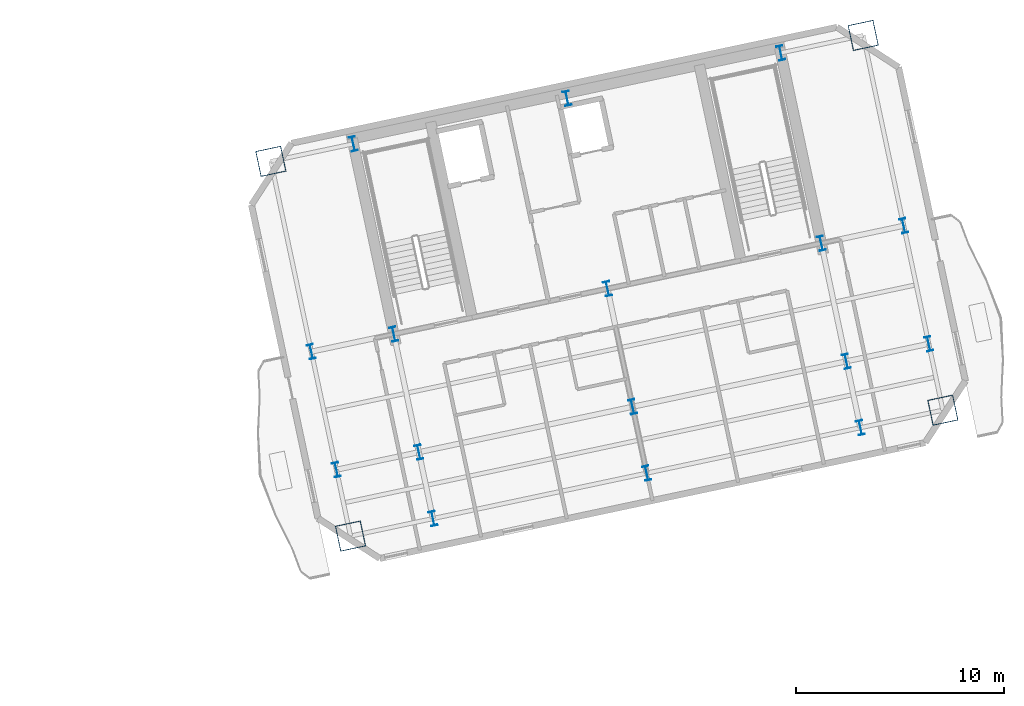
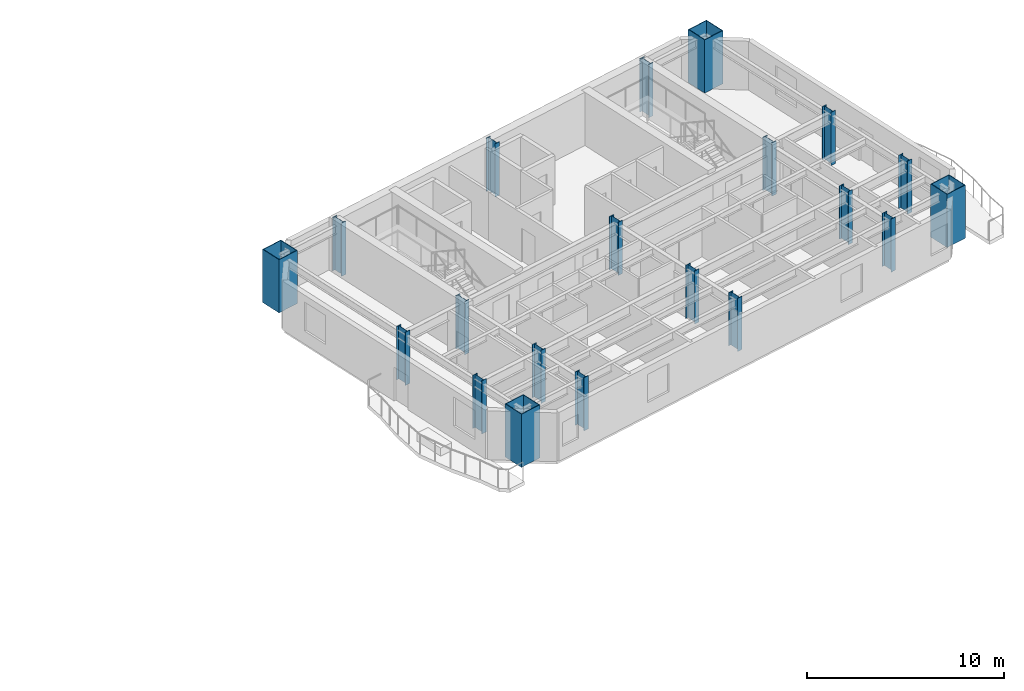
# One storey, part 2 of 13: 20 columns.
"""IFC4 building model written with IfcOpenShell, lengths in metres."""

from ifc_helpers import new_model, si_unit, direction, frame, origin, origin_2d, place, context, subcontext, project, spatial, hollow_rectangle, i_section, extrude, material, material_profile, profile_set, type_object, element, save


model = new_model("IFC4")

# Units and contexts
model_context = context("Model", 3, precision=1e-05, world=origin(), true_north=direction((0.0, 1.0)))
body_context = subcontext(model_context, "Body", "Model", "MODEL_VIEW")
ifc_project = project(units=[si_unit("LENGTHUNIT", "METRE"), si_unit("AREAUNIT", "SQUARE_METRE"), si_unit("VOLUMEUNIT", "CUBIC_METRE"), si_unit("PLANEANGLEUNIT", "RADIAN"), si_unit("MASSUNIT", "GRAM", prefix="KILO")], contexts=[model_context])

# Site, building, storey
site_placement = place(None, origin())
site = spatial("IfcSite", under=ifc_project, at=site_placement, CompositionType="ELEMENT")
building_placement = place(site_placement, origin())
building = spatial("IfcBuilding", under=site, at=building_placement, Name="Haevon Station Towers", CompositionType="ELEMENT")
storey_placement = place(building_placement, frame((0.0, 0.0, 162.60009765625)))
storey = spatial("IfcBuildingStorey", under=building, at=storey_placement, Name="L44", CompositionType="ELEMENT", Elevation=162.60009765625)

# Columns
ifc_material_1 = material(Name="Steel S460", Category="steel")
ifc_material_profile_1 = material_profile(ifc_material_1, hollow_rectangle(XDim=1.25, YDim=1.25, WallThickness=0.034912109375, at=origin_2d()), Name="BOX-1250x1250x35")
ifc_profile_set_1 = profile_set([ifc_material_profile_1], Name="Steel S460")
column_type_1 = type_object("IfcColumnType", Name="COL-MC4", PredefinedType="COLUMN", material=ifc_profile_set_1)
for number, where, z_axis, x_axis, name in (
    (1, (96.674560546875, 27.73828125, 0.0), (0.0, 0.0, 1.0), (0.978147600734, 0.207911690818, 0.0), "COL-T2-L44-01-01"),
    (2, (92.846923828125, 45.74609375, 0.0), (0.0, 0.0, 1.0), (0.978147600734, 0.207911690818, 0.0), "COL-T2-L44-01-04"),
    (3, (125.138671875, 33.78857421875, 0.0), (0.0, 0.0, 1.0), (0.978147600734, 0.207911690818, 0.0), "COL-T2-L44-05-01"),
    (4, (121.31103515625, 51.79638671875, 0.0), (0.0, 0.0, 1.0), (0.978147600734, 0.207911690818, 0.0), "COL-T2-L44-05-04"),
):
    element("IfcColumn", number, at=place(storey_placement, frame(where, z_axis=z_axis, x_axis=x_axis)), inside=storey, type_object=column_type_1, Name=name, PredefinedType="COLUMN", context=body_context, shape_type="SweptSolid", body=[
        extrude(hollow_rectangle(XDim=1.25, YDim=1.25, WallThickness=0.034912109375, at=origin_2d()), origin(), (0.0, 0.0, 1.0), 3.2998046875),
    ])
ifc_material_2 = material(Name="Steel S355", Category="steel")
ifc_material_profile_2 = material_profile(ifc_material_2, i_section(OverallWidth=0.300048828125, OverallDepth=0.699951171875, WebThickness=0.01611328125, FlangeThickness=0.028076171875, at=origin_2d()), Name="H-700x300x16x28")
ifc_profile_set_2 = profile_set([ifc_material_profile_2], Name="Steel S355")
column_type_2 = type_object("IfcColumnType", Name="COL-TW3", PredefinedType="COLUMN", material=ifc_profile_set_2)
for number, where, z_axis, x_axis, name in (
    (5, (95.996826171875, 30.927001953125, 0.0), (0.0, 0.0, 1.0), (0.978147600734, 0.207911690818, 0.0), "COL-T2-L44-01-02"),
    (6, (94.790771484375, 36.600341796875, 0.0), (0.0, 0.0, 1.0), (0.978147600734, 0.207911690818, 0.0), "COL-T2-L44-01-03"),
    (7, (100.635986328125, 28.580322265625, 0.0), (0.0, 0.0, 1.0), (0.978147600734, 0.207911690818, 0.0), "COL-T2-L44-02-01"),
    (8, (99.958251953125, 31.76904296875, 0.0), (0.0, 0.0, 1.0), (0.978147600734, 0.207911690818, 0.0), "COL-T2-L44-02-02"),
    (9, (98.75244140625, 37.4423828125, 0.0), (0.0, 0.0, 1.0), (0.978147600734, 0.207911690818, 0.0), "COL-T2-L44-02-03"),
    (10, (96.808349609375, 46.588134765625, 0.0), (0.0, 0.0, 1.0), (0.978147600734, 0.207911690818, 0.0), "COL-T2-L44-02-04"),
    (11, (110.906494140625, 30.763427734375, 0.0), (0.0, 0.0, 1.0), (0.978147600734, 0.207911690818, 0.0), "COL-T2-L44-03-01"),
    (12, (110.228759765625, 33.9521484375, 0.0), (0.0, 0.0, 1.0), (0.978147600734, 0.207911690818, 0.0), "COL-T2-L44-03-02"),
    (13, (109.02294921875, 39.62548828125, 0.0), (0.0, 0.0, 1.0), (0.978147600734, 0.207911690818, 0.0), "COL-T2-L44-03-03"),
    (14, (107.078857421875, 48.771240234375, 0.0), (0.0, 0.0, 1.0), (0.978147600734, 0.207911690818, 0.0), "COL-T2-L44-03-04"),
    (15, (121.17724609375, 32.946533203125, 0.0), (0.0, 0.0, 1.0), (0.978147600734, 0.207911690818, 0.0), "COL-T2-L44-04-01"),
    (16, (120.499267578125, 36.13525390625, 0.0), (0.0, 0.0, 1.0), (0.978147600734, 0.207911690818, 0.0), "COL-T2-L44-04-02"),
    (17, (119.29345703125, 41.80859375, 0.0), (0.0, 0.0, 1.0), (0.978147600734, 0.207911690818, 0.0), "COL-T2-L44-04-03"),
    (18, (117.349365234375, 50.954345703125, 0.0), (0.0, 0.0, 1.0), (0.978147600734, 0.207911690818, 0.0), "COL-T2-L44-04-04"),
    (19, (124.4609375, 36.977294921875, 0.0), (0.0, 0.0, 1.0), (0.978147600734, 0.207911690818, 0.0), "COL-T2-L44-05-02"),
    (20, (123.2548828125, 42.650634765625, 0.0), (0.0, 0.0, 1.0), (0.978147600734, 0.207911690818, 0.0), "COL-T2-L44-05-03"),
):
    element("IfcColumn", number, at=place(storey_placement, frame(where, z_axis=z_axis, x_axis=x_axis)), inside=storey, type_object=column_type_2, Name=name, PredefinedType="COLUMN", context=body_context, shape_type="SweptSolid", body=[
        extrude(i_section(OverallWidth=0.300048828125, OverallDepth=0.699951171875, WebThickness=0.01611328125, FlangeThickness=0.028076171875, at=origin_2d()), origin(), (0.0, 0.0, 1.0), 3.2998046875),
    ])

save(model, "model.ifc")
